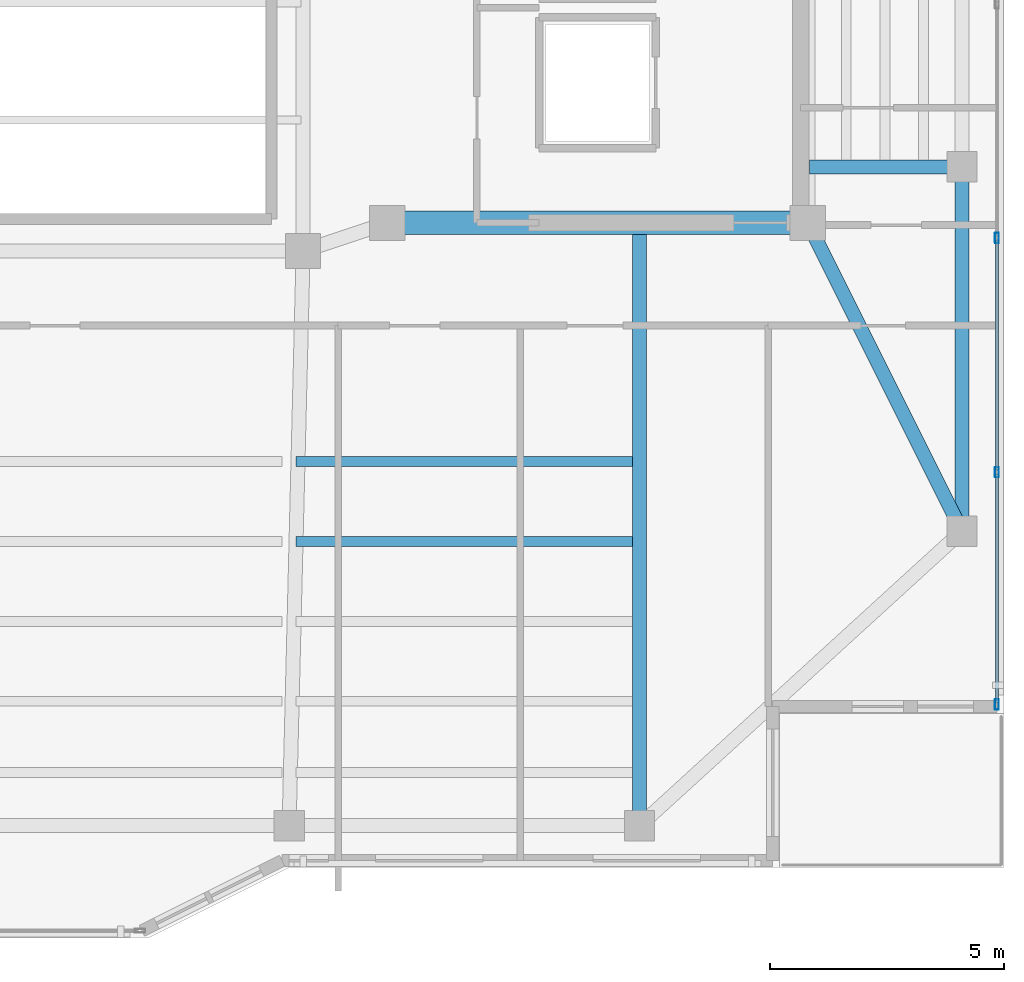
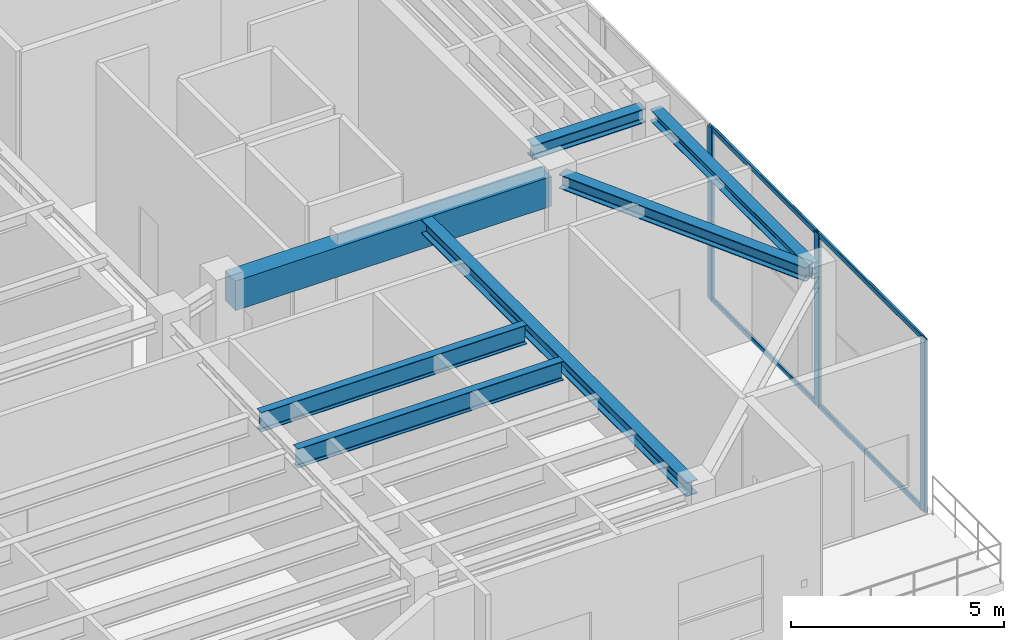
# One storey, part 8 of 23: 7 beams, 7 members, 1 element without a shape of its own.
"""IFC4 building model written with IfcOpenShell, lengths in metres."""

import ifcopenshell
import ifcopenshell.guid

model = None  # the IFC model being written
_history = None  # IfcOwnerHistory: only IFC2X3 demands one
_inside = {}  # id of a spatial element -> (the spatial element, [elements in it])
_under = {}  # id of a project, library or spatial element -> (it, [spatial elements below it])
_declared = {}  # id of a project -> (the project, [libraries it declares])
_typed = {}  # id of a type object -> (the type object, [elements of that type])
_made_of = {}  # id of a material, layer set ... -> (it, [elements and type objects made of it])


def new_model(schema):
    """Start an empty IFC model of exactly this schema.

    Asked for "IFC4X3", IfcOpenShell would pick the latest addendum, in which some entities
    have other attributes; the version numbers below select the first issue.
    IFC2X3 requires an IfcOwnerHistory on every rooted entity: one is made here for all.
    """
    global model, _history
    if schema == "IFC4X3":
        model = ifcopenshell.file(schema_version=(4, 3, 0, 0))
    else:
        model = ifcopenshell.file(schema=schema)
    _inside.clear()
    _under.clear()
    _declared.clear()
    _typed.clear()
    _made_of.clear()
    _history = None
    if model.schema == "IFC2X3":
        org = make("IfcOrganization", Name="unknown")
        user = make(
            "IfcPersonAndOrganization",
            ThePerson=make("IfcPerson", FamilyName="unknown"),
            TheOrganization=org,
        )
        app = make(
            "IfcApplication",
            ApplicationDeveloper=org,
            Version="unknown",
            ApplicationFullName="unknown",
            ApplicationIdentifier="unknown",
        )
        _history = make(
            "IfcOwnerHistory",
            OwningUser=user,
            OwningApplication=app,
            ChangeAction="ADDED",
            CreationDate=0,
        )
    return model


def make(cls, **values):
    """One entity of the class cls with the attributes given. An attribute that is None is left unset."""
    return model.create_entity(
        cls, **{name: value for name, value in values.items() if value is not None}
    )


def rooted(cls, **values):
    """An entity with a GlobalId (a new one), such as an element, a storey or a relation."""
    return make(cls, GlobalId=ifcopenshell.guid.new(), OwnerHistory=_history, **values)


def si_unit(unit_type, name, prefix=None):
    """IfcSIUnit, for example si_unit("LENGTHUNIT", "METRE", prefix="MILLI")."""
    return make("IfcSIUnit", UnitType=unit_type, Prefix=prefix, Name=name)


def assignment(units):
    """IfcUnitAssignment: the units of a project."""
    return None if units is None else make("IfcUnitAssignment", Units=units)


def point(xyz):
    """IfcCartesianPoint."""
    return None if xyz is None else make("IfcCartesianPoint", Coordinates=xyz)


def direction(xyz):
    """IfcDirection."""
    return None if xyz is None else make("IfcDirection", DirectionRatios=xyz)


def frame(location, z_axis=None, x_axis=None):
    """IfcAxis2Placement3D, a coordinate frame: its origin and axes. An axis left out is left unset."""
    return make(
        "IfcAxis2Placement3D",
        Location=point(location),
        Axis=direction(z_axis),
        RefDirection=direction(x_axis),
    )


def frame_2d(location, x_axis=None):
    """IfcAxis2Placement2D, a coordinate frame in the plane: its origin and x axis."""
    return make(
        "IfcAxis2Placement2D", Location=point(location), RefDirection=direction(x_axis)
    )


def origin():
    """The frame at (0, 0, 0) with its axes left unset."""
    return frame((0.0, 0.0, 0.0))


def origin_2d():
    """The frame at (0, 0) in the plane with its x axis left unset."""
    return frame_2d((0.0, 0.0))


def place(relative_to, where):
    """IfcLocalPlacement: puts the frame where relative to a parent placement (None: the world)."""
    return make(
        "IfcLocalPlacement", PlacementRelTo=relative_to, RelativePlacement=where
    )


def context(
    kind, dimensions, precision=None, world=None, true_north=None, identifier=None
):
    """IfcGeometricRepresentationContext, for example the 3D "Model" context."""
    return make(
        "IfcGeometricRepresentationContext",
        ContextIdentifier=identifier,
        ContextType=kind,
        CoordinateSpaceDimension=dimensions,
        Precision=precision,
        WorldCoordinateSystem=world,
        TrueNorth=true_north,
    )


def subcontext(parent, identifier, kind, view, scale=None):
    """IfcGeometricRepresentationSubContext, for example "Body" below "Model"."""
    return make(
        "IfcGeometricRepresentationSubContext",
        ContextIdentifier=identifier,
        ContextType=kind,
        ParentContext=parent,
        TargetScale=scale,
        TargetView=view,
    )


def project(units=None, contexts=None):
    """IfcProject with its units and contexts."""
    return rooted(
        "IfcProject",
        Name="project",
        RepresentationContexts=contexts,
        UnitsInContext=assignment(units),
    )


def spatial(cls, under=None, at=None, **own):
    """A site, building, storey or space (cls), placed at a placement, below another one or the project."""
    s = rooted(cls, ObjectPlacement=at, **own)
    if under is not None:
        _under.setdefault(under.id(), (under, []))[1].append(s)
    return s


def profile(cls, at=None, kind="AREA", **sizes):
    """A parametric profile (cls). Its sizes go by their IFC names, for example OverallWidth=200.0."""
    return make(cls, ProfileType=kind, Position=at, **sizes)


def rectangle(**sizes):
    """IfcRectangleProfileDef."""
    return profile("IfcRectangleProfileDef", **sizes)


def hollow_rectangle(**sizes):
    """IfcRectangleHollowProfileDef."""
    return profile("IfcRectangleHollowProfileDef", **sizes)


def i_section(**sizes):
    """IfcIShapeProfileDef."""
    return profile("IfcIShapeProfileDef", **sizes)


def extrude(swept, where, along, depth):
    """IfcExtrudedAreaSolid: the profile swept, set in the frame where, extruded along a direction by depth."""
    return make(
        "IfcExtrudedAreaSolid",
        SweptArea=swept,
        Position=where,
        ExtrudedDirection=direction(along),
        Depth=depth,
    )


def shape(context_of_items, identifier, shape_type, items):
    """IfcShapeRepresentation: the items that make up one representation, for example the "Body"."""
    return make(
        "IfcShapeRepresentation",
        ContextOfItems=context_of_items,
        RepresentationIdentifier=identifier,
        RepresentationType=shape_type,
        Items=items,
    )


def material(Name=None, Category=None):
    """IfcMaterial."""
    return make("IfcMaterial", Name=Name, Category=Category)


def layer(
    of_material, thickness, ventilated=None, Name=None, Category=None, Priority=None
):
    """IfcMaterialLayer: one layer of a wall or slab, of a material (None: an air gap)."""
    return make(
        "IfcMaterialLayer",
        Material=of_material,
        LayerThickness=thickness,
        IsVentilated=ventilated,
        Name=Name,
        Category=Category,
        Priority=Priority,
    )


def layer_set(layers, Name=None):
    """IfcMaterialLayerSet."""
    return make("IfcMaterialLayerSet", MaterialLayers=layers, LayerSetName=Name)


def material_profile(
    of_material, cross_section, Name=None, Category=None, Priority=None
):
    """IfcMaterialProfile: a cross section and its material."""
    return make(
        "IfcMaterialProfile",
        Name=Name,
        Material=of_material,
        Profile=cross_section,
        Priority=Priority,
        Category=Category,
    )


def profile_set(profiles, Name=None, composite=None):
    """IfcMaterialProfileSet."""
    return make(
        "IfcMaterialProfileSet",
        Name=Name,
        MaterialProfiles=profiles,
        CompositeProfile=composite,
    )


def made_of(thing, what):
    """Note that an element or type object is made of a material, layer set ...; save() writes the relation."""
    if what is not None:
        _made_of.setdefault(what.id(), (what, []))[1].append(thing)
    return thing


def type_object(cls, material=None, **own):
    """A type object (cls), such as IfcWallType, which elements share."""
    return made_of(rooted(cls, **own), material)


def element(
    cls,
    number,
    at=None,
    inside=None,
    cuts=None,
    type_object=None,
    material=None,
    context=None,
    identifier="Body",
    shape_type=None,
    held_by="IfcProductDefinitionShape",
    body=None,
    shapes=None,
    **own,
):
    """One element of the class cls, such as IfcWall. Its Tag is "e" and its number.

    at: its placement. inside: the storey or other place that contains it. cuts: it is an
    opening in that element (IfcRelVoidsElement). A single representation is given by context,
    identifier, shape_type and body (its items); several are given by shapes. held_by: the class
    of the entity that holds the representations. save() writes the other relations.
    """
    e = rooted(cls, Tag="e%d" % number, ObjectPlacement=at, **own)
    if body is not None:
        shapes = [shape(context, identifier, shape_type, body)]
    if shapes is not None:
        e.Representation = make(held_by, Representations=shapes)
    if inside is not None:
        _inside.setdefault(inside.id(), (inside, []))[1].append(e)
    if cuts is not None:
        rooted(
            "IfcRelVoidsElement", RelatingBuildingElement=cuts, RelatedOpeningElement=e
        )
    if type_object is not None:
        _typed.setdefault(type_object.id(), (type_object, []))[1].append(e)
    return made_of(e, material)


def aggregate(whole, parts):
    """IfcRelAggregates: a whole, such as a stair, and the parts it consists of."""
    return rooted("IfcRelAggregates", RelatingObject=whole, RelatedObjects=parts)


def save(model, path):
    """Write the relations noted so far, then the file.

    IfcRelAggregates (storeys below a building ...), IfcRelContainedInSpatialStructure (elements
    in a storey), IfcRelDefinesByType, IfcRelAssociatesMaterial and IfcRelDeclares: one each for
    every whole, place, type object, material and project.
    """
    for whole, parts in _under.values():
        aggregate(whole, parts)
    for where, things in _inside.values():
        rooted(
            "IfcRelContainedInSpatialStructure",
            RelatedElements=things,
            RelatingStructure=where,
        )
    for kind, things in _typed.values():
        rooted("IfcRelDefinesByType", RelatedObjects=things, RelatingType=kind)
    for what, things in _made_of.values():
        rooted("IfcRelAssociatesMaterial", RelatedObjects=things, RelatingMaterial=what)
    for by, libraries in _declared.values():
        rooted("IfcRelDeclares", RelatingContext=by, RelatedDefinitions=libraries)
    model.write(path)


model = new_model("IFC4")

# Units and contexts
model_context = context("Model", 3, precision=1e-05, world=origin(), true_north=direction((0.0, 1.0)))
body_context = subcontext(model_context, "Body", "Model", "MODEL_VIEW")
ifc_project = project(units=[si_unit("LENGTHUNIT", "METRE"), si_unit("AREAUNIT", "SQUARE_METRE"), si_unit("VOLUMEUNIT", "CUBIC_METRE"), si_unit("PLANEANGLEUNIT", "RADIAN"), si_unit("MASSUNIT", "GRAM", prefix="KILO")], contexts=[model_context])

# Site, building, storey
site_placement = place(None, origin())
site = spatial("IfcSite", under=ifc_project, at=site_placement, CompositionType="ELEMENT")
building_placement = place(site_placement, origin())
building = spatial("IfcBuilding", under=site, at=building_placement, Name="Tarnavaz Court Tower", CompositionType="ELEMENT")
storey_placement = place(building_placement, frame((0.0, 0.0, 276.300048828125)))
storey = spatial("IfcBuildingStorey", under=building, at=storey_placement, Name="L75", CompositionType="ELEMENT", Elevation=276.300048828125)

# Beams
ifc_material_1 = material(Name="Concrete C50/60", Category="concrete")
ifc_material_profile_1 = material_profile(ifc_material_1, rectangle(XDim=0.5, YDim=0.85009765625, at=origin_2d()), Name="RC 500X850")
ifc_profile_set_1 = profile_set([ifc_material_profile_1], Name="Concrete C50/60")
beam_type_1 = type_object("IfcBeamType", Name="BM-CB850", PredefinedType="LINTEL", material=ifc_profile_set_1)
beam_1_placement = place(storey_placement, frame((18.3798828125, -7.199951171875, 4.52490234375), z_axis=(-1.0, 0.0, 0.0), x_axis=(0.0, -1.0, 0.0)))
element("IfcBeam", 1, at=beam_1_placement, inside=storey, type_object=beam_type_1, Name="L75 Beam IN-CE-SO-CE-SI", PredefinedType="LINTEL", context=body_context, shape_type="SweptSolid", body=[
    extrude(rectangle(XDim=0.5, YDim=0.85009765625, at=origin_2d()), origin(), (0.0, 0.0, 1.0), 8.559814453125),
])
ifc_material_2 = material(Name="Steel S355", Category="steel")
ifc_material_profile_2 = material_profile(ifc_material_2, i_section(OverallWidth=0.300048828125, OverallDepth=0.39990234375, WebThickness=0.013427734375, FlangeThickness=0.02392578125, FilletRadius=0.027099609375, at=origin_2d()), Name="HEB 400")
ifc_profile_set_2 = profile_set([ifc_material_profile_2], Name="Steel S355")
beam_type_2 = type_object("IfcBeamType", Name="BM-G-HEB400", PredefinedType="USERDEFINED", material=ifc_profile_set_2)
beam_2_placement = place(storey_placement, frame((15.0, -7.239990234375, 4.75), z_axis=(0.0, -1.0, 0.0), x_axis=(1.0, 0.0, 0.0)))
element("IfcBeam", 2, at=beam_2_placement, inside=storey, type_object=beam_type_2, Name="L75 Beam RG-08", ObjectType="GIRDER", PredefinedType="USERDEFINED", context=body_context, shape_type="SweptSolid", body=[
    extrude(i_section(OverallWidth=0.300048828125, OverallDepth=0.39990234375, WebThickness=0.013427734375, FlangeThickness=0.02392578125, FilletRadius=0.027099609375, at=origin_2d()), origin(), (0.0, 0.0, 1.0), 12.639892578125),
])
beam_3_placement = place(storey_placement, frame((18.639892578125, -6.0, 4.75), z_axis=(1.0, 0.0, 0.0), x_axis=(0.0, 1.0, 0.0)))
element("IfcBeam", 3, at=beam_3_placement, inside=storey, type_object=beam_type_2, Name="L75 Beam RG-09", ObjectType="GIRDER", PredefinedType="USERDEFINED", context=body_context, shape_type="SweptSolid", body=[
    extrude(i_section(OverallWidth=0.300048828125, OverallDepth=0.39990234375, WebThickness=0.013427734375, FlangeThickness=0.02392578125, FilletRadius=0.027099609375, at=origin_2d()), origin(), (0.0, 0.0, 1.0), 3.0400390625),
])
beam_4_placement = place(storey_placement, frame((18.698486328125, -7.396728515625, 4.75), z_axis=(0.447185448279, -0.894441264057, 0.0), x_axis=(0.894441264057, 0.447185448279, 0.0)))
element("IfcBeam", 4, at=beam_4_placement, inside=storey, type_object=beam_type_2, Name="L75 Beam RG-11", ObjectType="GIRDER", PredefinedType="USERDEFINED", context=body_context, shape_type="SweptSolid", body=[
    extrude(i_section(OverallWidth=0.300048828125, OverallDepth=0.39990234375, WebThickness=0.013427734375, FlangeThickness=0.02392578125, FilletRadius=0.027099609375, at=origin_2d()), origin(), (0.0, 0.0, 1.0), 6.93896484375),
])
ifc_material_profile_3 = material_profile(ifc_material_2, i_section(OverallWidth=0.2099609375, OverallDepth=0.550048828125, WebThickness=0.010986328125, FlangeThickness=0.01708984375, FilletRadius=0.02392578125, at=origin_2d()), Name="IPE 550")
ifc_profile_set_3 = profile_set([ifc_material_profile_3], Name="Steel S355")
beam_type_3 = type_object("IfcBeamType", Name="BM-J-IPE550", PredefinedType="JOIST", material=ifc_profile_set_3)
for number, where, z_axis, x_axis, name in (
    (5, (7.64990234375, -12.31005859375, 4.675048828125), (1.0, 0.0, 0.0), (0.0, 1.0, 0.0), "L75 Beam JS1-3"),
    (6, (7.64990234375, -14.02001953125, 4.675048828125), (1.0, 0.0, 0.0), (0.0, 1.0, 0.0), "L75 Beam JS2-3"),
):
    element("IfcBeam", number, at=place(storey_placement, frame(where, z_axis=z_axis, x_axis=x_axis)), inside=storey, type_object=beam_type_3, Name=name, PredefinedType="JOIST", context=body_context, shape_type="SweptSolid", body=[
        extrude(i_section(OverallWidth=0.2099609375, OverallDepth=0.550048828125, WebThickness=0.010986328125, FlangeThickness=0.01708984375, FilletRadius=0.02392578125, at=origin_2d()), origin(), (0.0, 0.0, 1.0), 7.2001953125),
    ])
ifc_material_profile_4 = material_profile(ifc_material_2, i_section(OverallWidth=0.300048828125, OverallDepth=0.330078125, WebThickness=0.009521484375, FlangeThickness=0.0166015625, FilletRadius=0.027099609375, at=origin_2d()), Name="HEA 340")
ifc_profile_set_4 = profile_set([ifc_material_profile_4], Name="Steel S355")
beam_type_4 = type_object("IfcBeamType", Name="BM-SP-HEA340", PredefinedType="BEAM", material=ifc_profile_set_4)
beam_5_placement = place(storey_placement, frame((21.89990234375, -13.580078125, 4.784912109375), z_axis=(0.0, 1.0, 0.0), x_axis=(-1.0, 0.0, 0.0)))
element("IfcBeam", 7, at=beam_5_placement, inside=storey, type_object=beam_type_4, Name="L75 Beam PR-PE-1-PE-2", PredefinedType="BEAM", context=body_context, shape_type="SweptSolid", body=[
    extrude(i_section(OverallWidth=0.300048828125, OverallDepth=0.330078125, WebThickness=0.009521484375, FlangeThickness=0.0166015625, FilletRadius=0.027099609375, at=origin_2d()), origin(), (0.0, 0.0, 1.0), 7.360107421875),
])

# Curtain wall, members
ifc_material_3 = material(Name="Anodised Aluminium 6063-T6 and Solar Low-E Glazing", Category="aluminium")
ifc_layer = layer(ifc_material_3, 0.2099609375)
ifc_layer_set = layer_set([ifc_layer], Name="Anodised Aluminium 6063-T6 and Solar Low-E Glazing")
curtain_wall_type = type_object("IfcCurtainWallType", Name="CW-SYS-06", PredefinedType="NOTDEFINED", material=ifc_layer_set)
curtain_wall_placement = place(storey_placement, origin())
curtain_wall = element("IfcCurtainWall", 8, at=curtain_wall_placement, inside=storey, type_object=curtain_wall_type, Name="L75 Observation Curtain Wall 12", PredefinedType="NOTDEFINED")
ifc_material_4 = material(Name="Anodised Aluminium 6063-T6", Category="aluminium")
ifc_material_profile_5 = material_profile(ifc_material_4, hollow_rectangle(XDim=0.0849609375, YDim=0.219970703125, WallThickness=0.006103515625, InnerFilletRadius=0.006103515625, OuterFilletRadius=0.011962890625, at=origin_2d()), Name="ALU RHS 220X85X6")
ifc_profile_set_5 = profile_set([ifc_material_profile_5], Name="Anodised Aluminium 6063-T6")
member_type_1 = type_object("IfcMemberType", Name="CW-MUL-220", PredefinedType="MULLION", material=ifc_profile_set_5)
member_1_placement = place(storey_placement, frame((22.64990234375, -7.521484375, 0.0), z_axis=(0.0, 0.0, 1.0), x_axis=(1.0, 0.0, 0.0)))
member_1 = element("IfcMember", 9, at=member_1_placement, type_object=member_type_1, Name="CW mullion 6", PredefinedType="MULLION", context=body_context, shape_type="SweptSolid", body=[
    extrude(hollow_rectangle(XDim=0.0849609375, YDim=0.219970703125, WallThickness=0.006103515625, InnerFilletRadius=0.006103515625, OuterFilletRadius=0.011962890625, at=origin_2d()), origin(), (0.0, 0.0, 1.0), 4.949951171875),
])
member_2_placement = place(storey_placement, frame((22.64990234375, -12.53564453125, 0.0), z_axis=(0.0, 0.0, 1.0), x_axis=(1.0, 0.0, 0.0)))
member_2 = element("IfcMember", 10, at=member_2_placement, type_object=member_type_1, Name="CW mullion 7", PredefinedType="MULLION", context=body_context, shape_type="SweptSolid", body=[
    extrude(hollow_rectangle(XDim=0.0849609375, YDim=0.219970703125, WallThickness=0.006103515625, InnerFilletRadius=0.006103515625, OuterFilletRadius=0.011962890625, at=origin_2d()), origin(), (0.0, 0.0, 1.0), 4.949951171875),
])
member_3_placement = place(storey_placement, frame((22.64990234375, -17.507568359375, 0.0), z_axis=(0.0, 0.0, 1.0), x_axis=(1.0, 0.0, 0.0)))
member_3 = element("IfcMember", 11, at=member_3_placement, type_object=member_type_1, Name="CW mullion 8", PredefinedType="MULLION", context=body_context, shape_type="SweptSolid", body=[
    extrude(hollow_rectangle(XDim=0.0849609375, YDim=0.219970703125, WallThickness=0.006103515625, InnerFilletRadius=0.006103515625, OuterFilletRadius=0.011962890625, at=origin_2d()), origin(), (0.0, 0.0, 1.0), 4.949951171875),
])
ifc_material_profile_6 = material_profile(ifc_material_4, hollow_rectangle(XDim=0.06494140625, YDim=0.139892578125, WallThickness=0.00390625, InnerFilletRadius=0.00390625, OuterFilletRadius=0.008056640625, at=origin_2d()), Name="ALU RHS 140X65X4")
ifc_profile_set_6 = profile_set([ifc_material_profile_6], Name="Anodised Aluminium 6063-T6")
member_type_2 = type_object("IfcMemberType", Name="CW-TRN-140", PredefinedType="USERDEFINED", material=ifc_profile_set_6)
member_4_placement = place(storey_placement, frame((22.64990234375, -7.56396484375, 0.032470703125), z_axis=(0.0, -1.0, 0.0), x_axis=(1.0, 0.0, 0.0)))
member_4 = element("IfcMember", 12, at=member_4_placement, type_object=member_type_2, Name="CW transom 6.1", ObjectType="TRANSOM", PredefinedType="USERDEFINED", context=body_context, shape_type="SweptSolid", body=[
    extrude(hollow_rectangle(XDim=0.06494140625, YDim=0.139892578125, WallThickness=0.00390625, InnerFilletRadius=0.00390625, OuterFilletRadius=0.008056640625, at=origin_2d()), origin(), (0.0, 0.0, 1.0), 4.92919921875),
])
member_5_placement = place(storey_placement, frame((22.64990234375, -7.56396484375, 4.91748046875), z_axis=(0.0, -1.0, 0.0), x_axis=(1.0, 0.0, 0.0)))
member_5 = element("IfcMember", 13, at=member_5_placement, type_object=member_type_2, Name="CW transom 6.2", ObjectType="TRANSOM", PredefinedType="USERDEFINED", context=body_context, shape_type="SweptSolid", body=[
    extrude(hollow_rectangle(XDim=0.06494140625, YDim=0.139892578125, WallThickness=0.00390625, InnerFilletRadius=0.00390625, OuterFilletRadius=0.008056640625, at=origin_2d()), origin(), (0.0, 0.0, 1.0), 4.92919921875),
])
member_6_placement = place(storey_placement, frame((22.64990234375, -12.578125, 0.032470703125), z_axis=(0.0, -1.0, 0.0), x_axis=(1.0, 0.0, 0.0)))
member_6 = element("IfcMember", 14, at=member_6_placement, type_object=member_type_2, Name="CW transom 7.1", ObjectType="TRANSOM", PredefinedType="USERDEFINED", context=body_context, shape_type="SweptSolid", body=[
    extrude(hollow_rectangle(XDim=0.06494140625, YDim=0.139892578125, WallThickness=0.00390625, InnerFilletRadius=0.00390625, OuterFilletRadius=0.008056640625, at=origin_2d()), origin(), (0.0, 0.0, 1.0), 4.886962890625),
])
member_7_placement = place(storey_placement, frame((22.64990234375, -12.578125, 4.91748046875), z_axis=(0.0, -1.0, 0.0), x_axis=(1.0, 0.0, 0.0)))
member_7 = element("IfcMember", 15, at=member_7_placement, type_object=member_type_2, Name="CW transom 7.2", ObjectType="TRANSOM", PredefinedType="USERDEFINED", context=body_context, shape_type="SweptSolid", body=[
    extrude(hollow_rectangle(XDim=0.06494140625, YDim=0.139892578125, WallThickness=0.00390625, InnerFilletRadius=0.00390625, OuterFilletRadius=0.008056640625, at=origin_2d()), origin(), (0.0, 0.0, 1.0), 4.886962890625),
])
aggregate(curtain_wall, [member_1, member_2, member_3, member_4, member_5, member_6, member_7])

save(model, "model.ifc")
